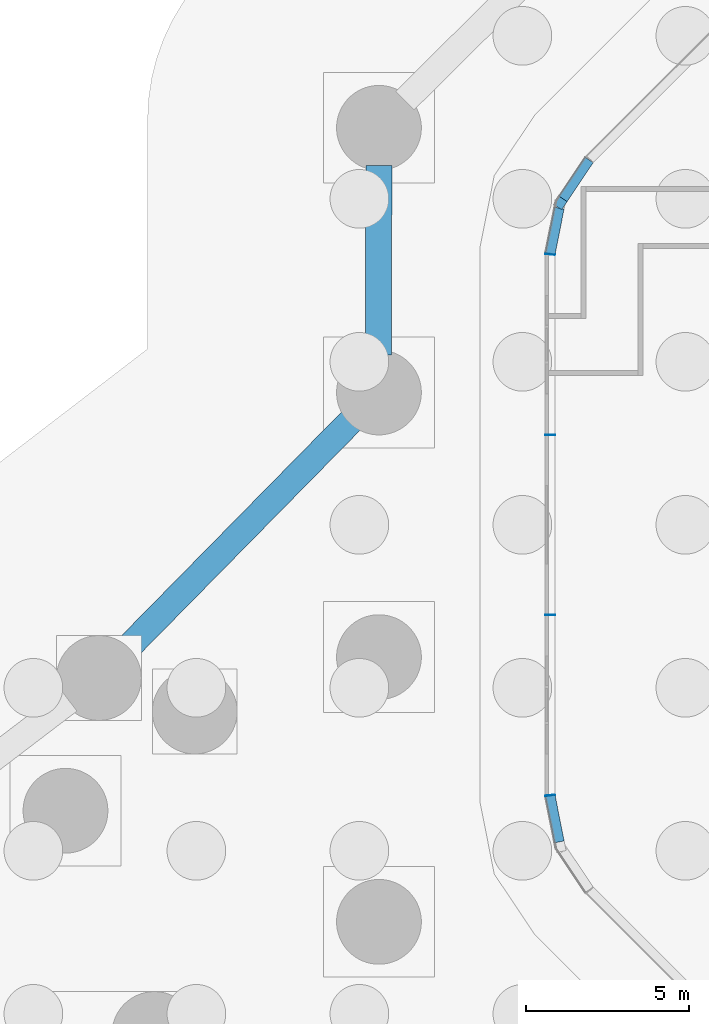
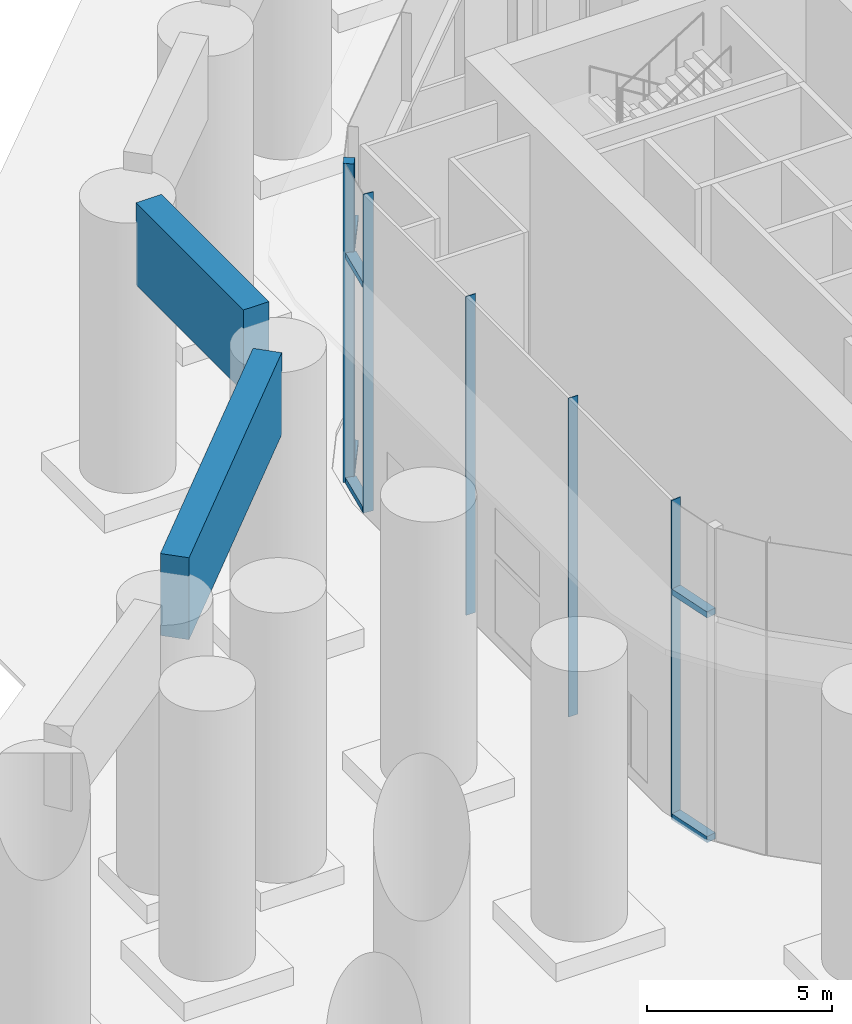
# One storey, part 7 of 31: 11 members, 2 beams, 4 elements without a shape of their own.
"""IFC4 building model written with IfcOpenShell, lengths in metres."""

from ifc_helpers import new_model, si_unit, direction, frame, origin, origin_2d, place, context, subcontext, project, spatial, rectangle, extrude, material, material_profile, profile_set, type_object, element, aggregate, save


model = new_model("IFC4")

# Units and contexts
model_context = context("Model", 3, precision=1e-05, world=origin(), true_north=direction((0.0, 1.0)))
body_context = subcontext(model_context, "Body", "Model", "MODEL_VIEW")
ifc_project = project(units=[si_unit("LENGTHUNIT", "METRE"), si_unit("AREAUNIT", "SQUARE_METRE"), si_unit("VOLUMEUNIT", "CUBIC_METRE"), si_unit("PLANEANGLEUNIT", "RADIAN"), si_unit("MASSUNIT", "GRAM", prefix="KILO")], contexts=[model_context])

# Site, building, storey
site_placement = place(None, origin())
site = spatial("IfcSite", under=ifc_project, at=site_placement, CompositionType="ELEMENT")
building_placement = place(site_placement, origin())
building = spatial("IfcBuilding", under=site, at=building_placement, Name="Orlundy Tower", CompositionType="ELEMENT")
storey_placement = place(building_placement, origin())
storey = spatial("IfcBuildingStorey", under=building, at=storey_placement, Name="L00", CompositionType="ELEMENT", Elevation=0.0)

# Curtain wall, member
ifc_material_1 = material(Name="Aluminium bronze anodised", Category="aluminium")
curtain_wall_type = type_object("IfcCurtainWallType", Name="CW3 wall", PredefinedType="NOTDEFINED", material=ifc_material_1)
curtain_wall_1_placement = place(storey_placement, origin())
curtain_wall_1 = element("IfcCurtainWall", 1, at=curtain_wall_1_placement, inside=storey, type_object=curtain_wall_type, Name="CW3 run 07", PredefinedType="NOTDEFINED")
ifc_material_2 = material(Name="Aluminium bronze anodised", Category="aluminium")
ifc_material_profile_1 = material_profile(ifc_material_2, rectangle(XDim=0.300048828125, YDim=0.300048828125, at=origin_2d()), Name="CW3 corner post 300x300")
ifc_profile_set_1 = profile_set([ifc_material_profile_1], Name="Aluminium bronze anodised")
member_type_1 = type_object("IfcMemberType", Name="CW3 corner post 300x300", PredefinedType="MULLION", material=ifc_profile_set_1)
member_1_placement = place(storey_placement, frame((-23.83740234375, 9.87353515625, -0.39990234375), z_axis=(0.0, 0.0, 1.0), x_axis=(-0.831063198802, 0.556177992729, 0.0)))
member_1 = element("IfcMember", 2, at=member_1_placement, type_object=member_type_1, Name="CW3 mullion 12", PredefinedType="MULLION", context=body_context, shape_type="SweptSolid", body=[
    extrude(rectangle(XDim=0.300048828125, YDim=0.300048828125, at=origin_2d()), origin(), (0.0, 0.0, 1.0), 10.5),
])

# Curtain wall, members
curtain_wall_2_placement = place(storey_placement, origin())
curtain_wall_2 = element("IfcCurtainWall", 3, at=curtain_wall_2_placement, inside=storey, type_object=curtain_wall_type, Name="CW3 run 05", PredefinedType="NOTDEFINED")
ifc_material_3 = material(Name="Toughened glass", Category="glass")
ifc_material_profile_2 = material_profile(ifc_material_3, rectangle(XDim=0.300048828125, YDim=0.01904296875, at=origin_2d()), Name="CW3 glass fin 19x300")
ifc_profile_set_2 = profile_set([ifc_material_profile_2], Name="Toughened glass")
member_type_2 = type_object("IfcMemberType", Name="CW3 glass fin 19x300", PredefinedType="MULLION", material=ifc_profile_set_2)
member_2_placement = place(storey_placement, frame((-24.14990234375, -8.298828125, -0.39990234375), z_axis=(0.0, 0.0, 1.0), x_axis=(-0.995201182604, -0.097849916421, 0.0)))
member_2 = element("IfcMember", 4, at=member_2_placement, type_object=member_type_2, Name="CW3 mullion 8", PredefinedType="MULLION", context=body_context, shape_type="SweptSolid", body=[
    extrude(rectangle(XDim=0.300048828125, YDim=0.01904296875, at=origin_2d()), origin(), (0.0, 0.0, 1.0), 10.5),
])
member_3_placement = place(storey_placement, frame((-24.14990234375, -2.76123046875, -0.39990234375), z_axis=(0.0, 0.0, 1.0), x_axis=(-1.0, 0.0, 0.0)))
member_3 = element("IfcMember", 5, at=member_3_placement, type_object=member_type_2, Name="CW3 mullion 9", PredefinedType="MULLION", context=body_context, shape_type="SweptSolid", body=[
    extrude(rectangle(XDim=0.300048828125, YDim=0.01904296875, at=origin_2d()), origin(), (0.0, 0.0, 1.0), 10.5),
])
member_4_placement = place(storey_placement, frame((-24.14990234375, 2.76123046875, -0.39990234375), z_axis=(0.0, 0.0, 1.0), x_axis=(-1.0, 0.0, 0.0)))
member_4 = element("IfcMember", 6, at=member_4_placement, type_object=member_type_2, Name="CW3 mullion 10", PredefinedType="MULLION", context=body_context, shape_type="SweptSolid", body=[
    extrude(rectangle(XDim=0.300048828125, YDim=0.01904296875, at=origin_2d()), origin(), (0.0, 0.0, 1.0), 10.5),
])
aggregate(curtain_wall_2, [member_2, member_3, member_4])

# Curtain wall, member
curtain_wall_3_placement = place(storey_placement, origin())
curtain_wall_3 = element("IfcCurtainWall", 7, at=curtain_wall_3_placement, inside=storey, type_object=curtain_wall_type, Name="CW3 run 06", PredefinedType="NOTDEFINED")
member_5_placement = place(storey_placement, frame((-24.14990234375, 8.298828125, -0.39990234375), z_axis=(0.0, 0.0, 1.0), x_axis=(-0.995201182604, 0.097849916421, 0.0)))
member_5 = element("IfcMember", 8, at=member_5_placement, type_object=member_type_2, Name="CW3 mullion 11", PredefinedType="MULLION", context=body_context, shape_type="SweptSolid", body=[
    extrude(rectangle(XDim=0.300048828125, YDim=0.01904296875, at=origin_2d()), origin(), (0.0, 0.0, 1.0), 10.5),
])

# Curtain wall, members
curtain_wall_4_placement = place(storey_placement, origin())
curtain_wall_4 = element("IfcCurtainWall", 9, at=curtain_wall_4_placement, inside=storey, type_object=curtain_wall_type, Name="CW3 run 04", PredefinedType="NOTDEFINED")
ifc_material_4 = material(Name="Aluminium bronze anodised", Category="aluminium")
ifc_material_profile_3 = material_profile(ifc_material_4, rectangle(XDim=0.300048828125, YDim=0.199951171875, at=origin_2d()), Name="CW3 transom 300x200")
ifc_profile_set_3 = profile_set([ifc_material_profile_3], Name="Aluminium bronze anodised")
member_type_3 = type_object("IfcMemberType", Name="CW3 transom 300x200", PredefinedType="USERDEFINED", material=ifc_profile_set_3)
member_6_placement = place(storey_placement, frame((-23.866455078125, -9.726318359375, -0.300048828125), z_axis=(-0.194877625942, 0.980827564308, 0.0), x_axis=(-0.980827564308, -0.194877625942, 0.0)))
member_6 = element("IfcMember", 10, at=member_6_placement, type_object=member_type_3, Name="CW3 transom", ObjectType="TRANSOM", PredefinedType="USERDEFINED", context=body_context, shape_type="SweptSolid", body=[
    extrude(rectangle(XDim=0.300048828125, YDim=0.199951171875, at=origin_2d()), origin(), (0.0, 0.0, 1.0), 1.440673828125),
])
member_7_placement = place(storey_placement, frame((-23.866455078125, -9.726318359375, 7.10009765625), z_axis=(-0.194877625942, 0.980827564308, 0.0), x_axis=(-0.980827564308, -0.194877625942, 0.0)))
member_7 = element("IfcMember", 11, at=member_7_placement, type_object=member_type_3, Name="CW3 transom", ObjectType="TRANSOM", PredefinedType="USERDEFINED", context=body_context, shape_type="SweptSolid", body=[
    extrude(rectangle(XDim=0.300048828125, YDim=0.199951171875, at=origin_2d()), origin(), (0.0, 0.0, 1.0), 1.440673828125),
])
aggregate(curtain_wall_4, [member_6, member_7])

# Member
member_8_placement = place(storey_placement, frame((-24.147216796875, 8.313232421875, -0.300048828125), z_axis=(0.194834163873, 0.980836198653, 0.0), x_axis=(-0.980836198653, 0.194834163873, 0.0)))
member_8 = element("IfcMember", 12, at=member_8_placement, type_object=member_type_3, Name="CW3 transom", ObjectType="TRANSOM", PredefinedType="USERDEFINED", context=body_context, shape_type="SweptSolid", body=[
    extrude(rectangle(XDim=0.300048828125, YDim=0.199951171875, at=origin_2d()), origin(), (0.0, 0.0, 1.0), 1.428466796875),
])

member_9_placement = place(storey_placement, frame((-24.147216796875, 8.313232421875, 7.10009765625), z_axis=(0.194834163873, 0.980836198653, 0.0), x_axis=(-0.980836198653, 0.194834163873, 0.0)))
member_9 = element("IfcMember", 13, at=member_9_placement, type_object=member_type_3, Name="CW3 transom", ObjectType="TRANSOM", PredefinedType="USERDEFINED", context=body_context, shape_type="SweptSolid", body=[
    extrude(rectangle(XDim=0.300048828125, YDim=0.199951171875, at=origin_2d()), origin(), (0.0, 0.0, 1.0), 1.428466796875),
])

aggregate(curtain_wall_3, [member_5, member_8, member_9])

member_10_placement = place(storey_placement, frame((-23.75390625, 9.998291015625, -0.300048828125), z_axis=(0.556263731822, 0.831005812651, 0.0), x_axis=(-0.831005812651, 0.556263731822, 0.0)))
member_10 = element("IfcMember", 14, at=member_10_placement, type_object=member_type_3, Name="CW3 transom", ObjectType="TRANSOM", PredefinedType="USERDEFINED", context=body_context, shape_type="SweptSolid", body=[
    extrude(rectangle(XDim=0.300048828125, YDim=0.199951171875, at=origin_2d()), origin(), (0.0, 0.0, 1.0), 1.4404296875),
])

member_11_placement = place(storey_placement, frame((-23.75390625, 9.998291015625, 7.10009765625), z_axis=(0.556263731822, 0.831005812651, 0.0), x_axis=(-0.831005812651, 0.556263731822, 0.0)))
member_11 = element("IfcMember", 15, at=member_11_placement, type_object=member_type_3, Name="CW3 transom", ObjectType="TRANSOM", PredefinedType="USERDEFINED", context=body_context, shape_type="SweptSolid", body=[
    extrude(rectangle(XDim=0.300048828125, YDim=0.199951171875, at=origin_2d()), origin(), (0.0, 0.0, 1.0), 1.4404296875),
])

aggregate(curtain_wall_1, [member_1, member_10, member_11])

# Beams
ifc_material_5 = material(Name="Concrete C80/95", Category="concrete")
ifc_material_profile_4 = material_profile(ifc_material_5, rectangle(XDim=0.800048828125, YDim=2.699951171875, at=origin_2d()), Name="RC800X2700")
ifc_profile_set_4 = profile_set([ifc_material_profile_4], Name="Concrete C80/95")
beam_type = type_object("IfcBeamType", Name="RC FASCIA BEAM RC800X2700 C80/95", PredefinedType="BEAM", material=ifc_profile_set_4)
beam_1_placement = place(storey_placement, frame((-37.1953125, -3.86767578125, 8.75), z_axis=(0.701179176537, 0.712985106711, 0.0), x_axis=(-0.712985106711, 0.701179176537, 0.0)))
element("IfcBeam", 16, at=beam_1_placement, inside=storey, type_object=beam_type, Name="Fascia beam 16", PredefinedType="BEAM", context=body_context, shape_type="SweptSolid", body=[
    extrude(rectangle(XDim=0.800048828125, YDim=2.699951171875, at=origin_2d()), origin(), (0.0, 0.0, 1.0), 9.967529296875),
])
beam_2_placement = place(storey_placement, frame((-29.419677734375, 5.208740234375, 8.75), z_axis=(0.002810863203, 0.999996049516, 0.0), x_axis=(-0.999996049516, 0.002810863203, 0.0)))
element("IfcBeam", 17, at=beam_2_placement, inside=storey, type_object=beam_type, Name="Fascia beam 17", PredefinedType="BEAM", context=body_context, shape_type="SweptSolid", body=[
    extrude(rectangle(XDim=0.800048828125, YDim=2.699951171875, at=origin_2d()), origin(), (0.0, 0.0, 1.0), 5.8193359375),
])

save(model, "model.ifc")
